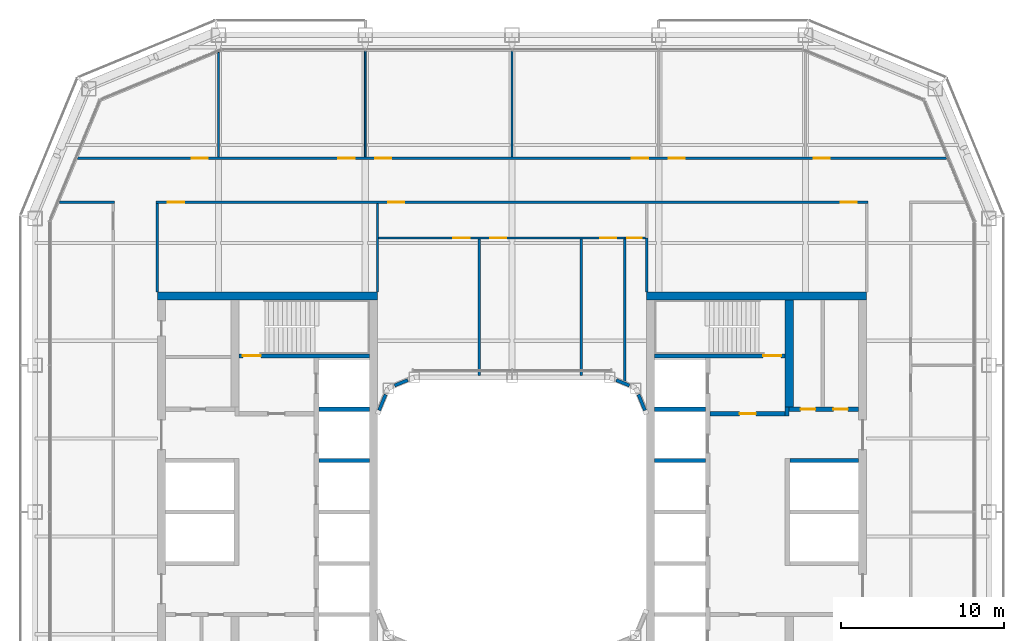
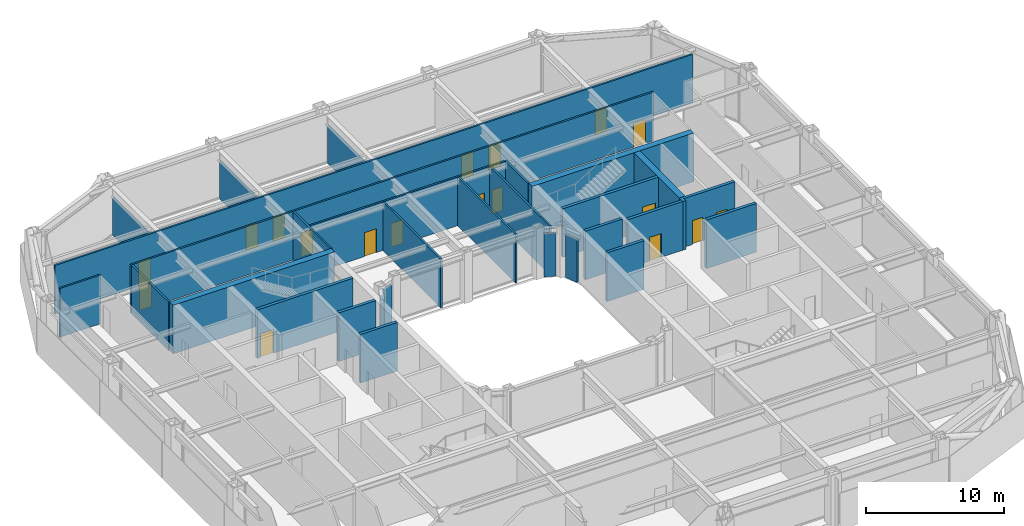
# One storey, part 13 of 21: 31 walls, 18 doors, 18 openings.
"""IFC4 building model written with IfcOpenShell, lengths in metres."""

from ifc_helpers import new_model, si_unit, direction, frame, frame_2d, origin, place, context, subcontext, project, spatial, rectangle, extrude, material, layer, layer_set, type_object, element, fill, save


model = new_model("IFC4")

# Units and contexts
model_context = context("Model", 3, precision=1e-05, world=origin(), true_north=direction((0.0, 1.0)))
body_context = subcontext(model_context, "Body", "Model", "MODEL_VIEW")
ifc_project = project(units=[si_unit("LENGTHUNIT", "METRE"), si_unit("AREAUNIT", "SQUARE_METRE"), si_unit("VOLUMEUNIT", "CUBIC_METRE"), si_unit("PLANEANGLEUNIT", "RADIAN"), si_unit("MASSUNIT", "GRAM", prefix="KILO")], contexts=[model_context])

# Site, building, storey
site_placement = place(None, origin())
site = spatial("IfcSite", under=ifc_project, at=site_placement, CompositionType="ELEMENT")
building_placement = place(site_placement, origin())
building = spatial("IfcBuilding", under=site, at=building_placement, Name="Siwar Civic Tower", CompositionType="ELEMENT")
storey_placement = place(building_placement, frame((0.0, 0.0, 176.699951171875)))
storey = spatial("IfcBuildingStorey", under=building, at=storey_placement, Name="L38", CompositionType="ELEMENT", Elevation=176.699951171875)

# Wall, opening, door
ifc_material_1 = material(Name="Gypsum board on steel studs", Category="steel")
ifc_layer_1 = layer(ifc_material_1, 0.14990234375)
ifc_layer_set_1 = layer_set([ifc_layer_1], Name="Gypsum board on steel studs")
wall_type_1 = type_object("IfcWallType", Name="COMPARTMENT PARTITION 150 EI 60", PredefinedType="PARTITIONING", material=ifc_layer_set_1)
wall_1_placement = place(storey_placement, frame((6.919921875, 16.800048828125, 0.0), z_axis=(0.0, 0.0, 1.0), x_axis=(1.0, 0.0, 0.0)))
wall_1 = element("IfcWall", 1, at=wall_1_placement, inside=storey, type_object=wall_type_1, Name="L38/wall/P09", PredefinedType="PARTITIONING", context=body_context, shape_type="SweptSolid", body=[
    extrude(rectangle(XDim=1.255126953125, YDim=0.14990234375, at=frame_2d((0.62744140625, 0.0))), origin(), (0.0, 0.0, 1.0), 4.300048828125),
])
opening_1_placement = place(wall_1_placement, frame((0.14990234375, 0.0, 0.0)))
opening_1 = element("IfcOpeningElement", 2, at=opening_1_placement, cuts=wall_1, Name="Opening D4", PredefinedType="OPENING", context=body_context, shape_type="SweptSolid", body=[
    extrude(rectangle(XDim=0.89990234375, YDim=2.10009765625, at=frame_2d((0.449951171875, 1.050048828125))), frame((0.0, 0.0849609375, 0.0), z_axis=(0.0, -1.0, 0.0), x_axis=(1.0, 0.0, 0.0)), (0.0, 0.0, 1.0), 0.169921875),
])
ifc_material_2 = material(Name="Timber, painted", Category="wood")
door_type_1 = type_object("IfcDoorType", Name="DOOR 900 X 2100 FD60", OperationType="SINGLE_SWING_LEFT", PredefinedType="DOOR", material=ifc_material_2)
door_1_placement = place(opening_1_placement, origin())
door_1 = element("IfcDoor", 3, at=door_1_placement, inside=storey, type_object=door_type_1, Name="L38-D17", OperationType="SINGLE_SWING_LEFT", OverallHeight=2.10009765625, OverallWidth=0.89990234375, PredefinedType="DOOR", context=body_context, shape_type="SweptSolid", body=[
    extrude(rectangle(XDim=0.89990234375, YDim=2.10009765625, at=frame_2d((0.449951171875, 1.050048828125))), frame((0.0, 0.02490234375, 0.0), z_axis=(0.0, -1.0, 0.0), x_axis=(1.0, 0.0, 0.0)), (0.0, 0.0, 1.0), 0.050048828125),
])
fill(opening_1, door_1)

# Walls
wall_2_placement = place(storey_placement, frame((6.919921875, 8.02490234375, 0.0), z_axis=(0.0, 0.0, 1.0), x_axis=(0.0, 1.0, 0.0)))
element("IfcWall", 4, at=wall_2_placement, inside=storey, type_object=wall_type_1, Name="L38/wall/P27", PredefinedType="PARTITIONING", context=body_context, shape_type="SweptSolid", body=[
    extrude(rectangle(XDim=8.7001953125, YDim=0.14990234375, at=frame_2d((4.35009765625, 0.0))), origin(), (0.0, 0.0, 1.0), 4.300048828125),
])
wall_3_placement = place(storey_placement, frame((8.25, 13.5, 0.0), z_axis=(0.0, 0.0, 1.0), x_axis=(0.0, 1.0, 0.0)))
element("IfcWall", 5, at=wall_3_placement, inside=storey, type_object=wall_type_1, Name="L38/wall/P30", PredefinedType="PARTITIONING", context=body_context, shape_type="SweptSolid", body=[
    extrude(rectangle(XDim=3.300048828125, YDim=0.14990234375, at=frame_2d((1.64990234375, 0.0))), origin(), (0.0, 0.0, 1.0), 4.300048828125),
])
ifc_material_3 = material(Name="Concrete C60/75", Category="concrete")
ifc_layer_2 = layer(ifc_material_3, 0.25)
ifc_layer_set_2 = layer_set([ifc_layer_2], Name="Concrete C60/75")
wall_type_2 = type_object("IfcWallType", Name="CORE-WALL-RC250", PredefinedType="SHEAR", material=ifc_layer_set_2)
for number, where, z_axis, x_axis, name in (
    (6, (-8.75, 3.14990234375, 0.0), (0.0, 0.0, 1.0), (-1.0, 0.0, 0.0), "Core wall W"),
    (7, (-8.75, 6.300048828125, 0.0), (0.0, 0.0, 1.0), (-1.0, 0.0, 0.0), "Core wall W"),
):
    element("IfcWall", number, at=place(storey_placement, frame(where, z_axis=z_axis, x_axis=x_axis)), inside=storey, type_object=wall_type_2, Name=name, PredefinedType="SHEAR", context=body_context, shape_type="SweptSolid", body=[
        extrude(rectangle(XDim=3.10009765625, YDim=0.25, at=frame_2d((1.550048828125, 0.0))), origin(), (0.0, 0.0, 1.0), 4.300048828125),
    ])

# Wall, opening, door
wall_4_placement = place(storey_placement, frame((-8.75, 9.574951171875, 0.0), z_axis=(0.0, 0.0, 1.0), x_axis=(-1.0, 0.0, 0.0)))
wall_4 = element("IfcWall", 8, at=wall_4_placement, inside=storey, type_object=wall_type_2, Name="Core wall W", PredefinedType="SHEAR", context=body_context, shape_type="SweptSolid", body=[
    extrude(rectangle(XDim=8.0, YDim=0.25, at=frame_2d((4.0, 0.0))), origin(), (0.0, 0.0, 1.0), 4.300048828125),
])
opening_2_placement = place(wall_4_placement, frame((6.64990234375, 0.0, 0.0)))
opening_2 = element("IfcOpeningElement", 9, at=opening_2_placement, cuts=wall_4, Name="Opening L38-CW03", PredefinedType="OPENING", context=body_context, shape_type="SweptSolid", body=[
    extrude(rectangle(XDim=1.10009765625, YDim=2.10009765625, at=frame_2d((0.550048828125, 1.050048828125))), frame((0.0, 0.135009765625, 0.0), z_axis=(0.0, -1.0, 0.0), x_axis=(1.0, 0.0, 0.0)), (0.0, 0.0, 1.0), 0.27001953125),
])
ifc_material_4 = material(Name="Steel door leaf", Category="steel")
door_type_2 = type_object("IfcDoorType", Name="CORE-DOOR-FD60S", OperationType="SINGLE_SWING_LEFT", PredefinedType="DOOR", material=ifc_material_4)
door_2_placement = place(opening_2_placement, origin())
door_2 = element("IfcDoor", 10, at=door_2_placement, inside=storey, type_object=door_type_2, Name="Stair door L38-CW03", OperationType="SINGLE_SWING_RIGHT", OverallHeight=2.10009765625, OverallWidth=1.10009765625, PredefinedType="DOOR", context=body_context, shape_type="SweptSolid", body=[
    extrude(rectangle(XDim=1.10009765625, YDim=2.10009765625, at=frame_2d((0.550048828125, 1.050048828125))), frame((0.0, 0.02490234375, 0.0), z_axis=(0.0, -1.0, 0.0), x_axis=(1.0, 0.0, 0.0)), (0.0, 0.0, 1.0), 0.050048828125),
])
fill(opening_2, door_2)

wall_5_placement = place(storey_placement, frame((12.14990234375, 6.02490234375, 0.0), z_axis=(0.0, 0.0, 1.0), x_axis=(1.0, 0.0, 0.0)))
wall_5 = element("IfcWall", 11, at=wall_5_placement, inside=storey, type_object=wall_type_2, Name="Core wall E", PredefinedType="SHEAR", context=body_context, shape_type="SweptSolid", body=[
    extrude(rectangle(XDim=4.60009765625, YDim=0.25, at=frame_2d((2.300048828125, 0.0))), origin(), (0.0, 0.0, 1.0), 4.300048828125),
])
opening_3_placement = place(wall_5_placement, frame((1.800048828125, 0.0, 0.0)))
opening_3 = element("IfcOpeningElement", 12, at=opening_3_placement, cuts=wall_5, Name="Opening L38-CE01", PredefinedType="OPENING", context=body_context, shape_type="SweptSolid", body=[
    extrude(rectangle(XDim=1.0, YDim=2.10009765625, at=frame_2d((0.5, 1.050048828125))), frame((0.0, 0.135009765625, 0.0), z_axis=(0.0, -1.0, 0.0), x_axis=(1.0, 0.0, 0.0)), (0.0, 0.0, 1.0), 0.27001953125),
])
ifc_material_5 = material(Name="Steel door leaf", Category="steel")
door_type_3 = type_object("IfcDoorType", Name="CORE-DOOR-FD30S", OperationType="SINGLE_SWING_LEFT", PredefinedType="DOOR", material=ifc_material_5)
door_3_placement = place(opening_3_placement, origin())
door_3 = element("IfcDoor", 13, at=door_3_placement, inside=storey, type_object=door_type_3, Name="Firefighting lobby door L38-CE01", OperationType="SINGLE_SWING_RIGHT", OverallHeight=2.10009765625, OverallWidth=1.0, PredefinedType="DOOR", context=body_context, shape_type="SweptSolid", body=[
    extrude(rectangle(XDim=1.0, YDim=2.10009765625, at=frame_2d((0.5, 1.050048828125))), frame((0.0, 0.02490234375, 0.0), z_axis=(0.0, -1.0, 0.0), x_axis=(1.0, 0.0, 0.0)), (0.0, 0.0, 1.0), 0.050048828125),
])
fill(opening_3, door_3)

# Wall
wall_6_placement = place(storey_placement, frame((16.875, 5.89990234375, 0.0), z_axis=(0.0, 0.0, 1.0), x_axis=(0.0, 1.0, 0.0)))
element("IfcWall", 14, at=wall_6_placement, inside=storey, type_object=wall_type_2, Name="Core wall E", PredefinedType="SHEAR", context=body_context, shape_type="SweptSolid", body=[
    extrude(rectangle(XDim=0.525146484375, YDim=0.25, at=frame_2d((0.2626953125, 0.0))), origin(), (0.0, 0.0, 1.0), 4.300048828125),
])

# Wall, openings, doors
wall_7_placement = place(storey_placement, frame((17.0, 6.300048828125, 0.0), z_axis=(0.0, 0.0, 1.0), x_axis=(1.0, 0.0, 0.0)))
wall_7 = element("IfcWall", 15, at=wall_7_placement, inside=storey, type_object=wall_type_2, Name="Core wall E", PredefinedType="SHEAR", context=body_context, shape_type="SweptSolid", body=[
    extrude(rectangle(XDim=4.25, YDim=0.25, at=frame_2d((2.125, 0.0))), origin(), (0.0, 0.0, 1.0), 4.300048828125),
])
opening_4_placement = place(wall_7_placement, frame((0.699951171875, 0.0, 0.0)))
opening_4 = element("IfcOpeningElement", 16, at=opening_4_placement, cuts=wall_7, Name="Opening L38-CE13", PredefinedType="OPENING", context=body_context, shape_type="SweptSolid", body=[
    extrude(rectangle(XDim=0.89990234375, YDim=2.10009765625, at=frame_2d((0.449951171875, 1.050048828125))), frame((0.0, 0.135009765625, 0.0), z_axis=(0.0, -1.0, 0.0), x_axis=(1.0, 0.0, 0.0)), (0.0, 0.0, 1.0), 0.27001953125),
])
opening_5_placement = place(wall_7_placement, frame((2.699951171875, 0.0, 0.0)))
opening_5 = element("IfcOpeningElement", 17, at=opening_5_placement, cuts=wall_7, Name="Opening L38-CE14", PredefinedType="OPENING", context=body_context, shape_type="SweptSolid", body=[
    extrude(rectangle(XDim=0.89990234375, YDim=2.10009765625, at=frame_2d((0.449951171875, 1.050048828125))), frame((0.0, 0.135009765625, 0.0), z_axis=(0.0, -1.0, 0.0), x_axis=(1.0, 0.0, 0.0)), (0.0, 0.0, 1.0), 0.27001953125),
])
ifc_material_6 = material(Name="Steel door leaf", Category="steel")
door_type_4 = type_object("IfcDoorType", Name="CORE-DOOR-ROOM", OperationType="SINGLE_SWING_LEFT", PredefinedType="DOOR", material=ifc_material_6)
door_4_placement = place(opening_4_placement, origin())
door_4 = element("IfcDoor", 18, at=door_4_placement, inside=storey, type_object=door_type_4, Name="Core room door L38-CE13", OperationType="SINGLE_SWING_LEFT", OverallHeight=2.10009765625, OverallWidth=0.89990234375, PredefinedType="DOOR", context=body_context, shape_type="SweptSolid", body=[
    extrude(rectangle(XDim=0.89990234375, YDim=2.10009765625, at=frame_2d((0.449951171875, 1.050048828125))), frame((0.0, 0.02490234375, 0.0), z_axis=(0.0, -1.0, 0.0), x_axis=(1.0, 0.0, 0.0)), (0.0, 0.0, 1.0), 0.050048828125),
])
fill(opening_4, door_4)
door_5_placement = place(opening_5_placement, origin())
door_5 = element("IfcDoor", 19, at=door_5_placement, inside=storey, type_object=door_type_4, Name="Core room door L38-CE14", OperationType="SINGLE_SWING_RIGHT", OverallHeight=2.10009765625, OverallWidth=0.89990234375, PredefinedType="DOOR", context=body_context, shape_type="SweptSolid", body=[
    extrude(rectangle(XDim=0.89990234375, YDim=2.10009765625, at=frame_2d((0.449951171875, 1.050048828125))), frame((0.0, 0.02490234375, 0.0), z_axis=(0.0, -1.0, 0.0), x_axis=(1.0, 0.0, 0.0)), (0.0, 0.0, 1.0), 0.050048828125),
])
fill(opening_5, door_5)

# Walls
wall_8_placement = place(storey_placement, frame((17.050048828125, 3.14990234375, 0.0), z_axis=(0.0, 0.0, 1.0), x_axis=(1.0, 0.0, 0.0)))
element("IfcWall", 20, at=wall_8_placement, inside=storey, type_object=wall_type_2, Name="Core wall E", PredefinedType="SHEAR", context=body_context, shape_type="SweptSolid", body=[
    extrude(rectangle(XDim=4.199951171875, YDim=0.25, at=frame_2d((2.10009765625, 0.0))), origin(), (0.0, 0.0, 1.0), 4.300048828125),
])
for number, where, z_axis, x_axis, name in (
    (21, (8.75, 3.14990234375, 0.0), (0.0, 0.0, 1.0), (1.0, 0.0, 0.0), "Core wall E"),
    (22, (8.75, 6.300048828125, 0.0), (0.0, 0.0, 1.0), (1.0, 0.0, 0.0), "Core wall E"),
):
    element("IfcWall", number, at=place(storey_placement, frame(where, z_axis=z_axis, x_axis=x_axis)), inside=storey, type_object=wall_type_2, Name=name, PredefinedType="SHEAR", context=body_context, shape_type="SweptSolid", body=[
        extrude(rectangle(XDim=3.10009765625, YDim=0.25, at=frame_2d((1.550048828125, 0.0))), origin(), (0.0, 0.0, 1.0), 4.300048828125),
    ])

# Wall, opening, door
wall_9_placement = place(storey_placement, frame((8.75, 9.574951171875, 0.0), z_axis=(0.0, 0.0, 1.0), x_axis=(1.0, 0.0, 0.0)))
wall_9 = element("IfcWall", 23, at=wall_9_placement, inside=storey, type_object=wall_type_2, Name="Core wall E", PredefinedType="SHEAR", context=body_context, shape_type="SweptSolid", body=[
    extrude(rectangle(XDim=8.0, YDim=0.25, at=frame_2d((4.0, 0.0))), origin(), (0.0, 0.0, 1.0), 4.300048828125),
])
opening_6_placement = place(wall_9_placement, frame((6.64990234375, 0.0, 0.0)))
opening_6 = element("IfcOpeningElement", 24, at=opening_6_placement, cuts=wall_9, Name="Opening L38-CE03", PredefinedType="OPENING", context=body_context, shape_type="SweptSolid", body=[
    extrude(rectangle(XDim=1.10009765625, YDim=2.10009765625, at=frame_2d((0.550048828125, 1.050048828125))), frame((0.0, 0.135009765625, 0.0), z_axis=(0.0, -1.0, 0.0), x_axis=(1.0, 0.0, 0.0)), (0.0, 0.0, 1.0), 0.27001953125),
])
door_6_placement = place(opening_6_placement, origin())
door_6 = element("IfcDoor", 25, at=door_6_placement, inside=storey, type_object=door_type_2, Name="Stair door L38-CE03", OperationType="SINGLE_SWING_LEFT", OverallHeight=2.10009765625, OverallWidth=1.10009765625, PredefinedType="DOOR", context=body_context, shape_type="SweptSolid", body=[
    extrude(rectangle(XDim=1.10009765625, YDim=2.10009765625, at=frame_2d((0.550048828125, 1.050048828125))), frame((0.0, 0.02490234375, 0.0), z_axis=(0.0, -1.0, 0.0), x_axis=(1.0, 0.0, 0.0)), (0.0, 0.0, 1.0), 0.050048828125),
])
fill(opening_6, door_6)

# Walls
ifc_material_7 = material(Name="Concrete C60/75", Category="concrete")
ifc_layer_3 = layer(ifc_material_7, 0.5)
ifc_layer_set_3 = layer_set([ifc_layer_3], Name="Concrete C60/75")
wall_type_3 = type_object("IfcWallType", Name="CORE-WALL-RC500", PredefinedType="SHEAR", material=ifc_layer_set_3)
wall_10_placement = place(storey_placement, frame((-8.25, 13.25, 0.0), z_axis=(0.0, 0.0, 1.0), x_axis=(-1.0, 0.0, 0.0)))
element("IfcWall", 26, at=wall_10_placement, inside=storey, type_object=wall_type_3, Name="Core wall W", PredefinedType="SHEAR", context=body_context, shape_type="SweptSolid", body=[
    extrude(rectangle(XDim=13.5, YDim=0.5, at=frame_2d((6.75, 0.0))), origin(), (0.0, 0.0, 1.0), 4.300048828125),
])
wall_11_placement = place(storey_placement, frame((17.0, 6.425048828125, 0.0), z_axis=(0.0, 0.0, 1.0), x_axis=(0.0, 1.0, 0.0)))
element("IfcWall", 27, at=wall_11_placement, inside=storey, type_object=wall_type_3, Name="Core wall E", PredefinedType="SHEAR", context=body_context, shape_type="SweptSolid", body=[
    extrude(rectangle(XDim=6.574951171875, YDim=0.5, at=frame_2d((3.28759765625, 0.0))), origin(), (0.0, 0.0, 1.0), 4.300048828125),
])
wall_12_placement = place(storey_placement, frame((8.25, 13.25, 0.0), z_axis=(0.0, 0.0, 1.0), x_axis=(1.0, 0.0, 0.0)))
element("IfcWall", 28, at=wall_12_placement, inside=storey, type_object=wall_type_3, Name="Core wall E", PredefinedType="SHEAR", context=body_context, shape_type="SweptSolid", body=[
    extrude(rectangle(XDim=13.5, YDim=0.5, at=frame_2d((6.75, 0.0))), origin(), (0.0, 0.0, 1.0), 4.300048828125),
])

# Wall, openings, doors
ifc_material_8 = material(Name="Gypsum board on steel studs", Category="steel")
ifc_layer_4 = layer(ifc_material_8, 0.14990234375)
ifc_layer_set_4 = layer_set([ifc_layer_4], Name="Gypsum board on steel studs")
wall_type_4 = type_object("IfcWallType", Name="CORRIDOR PARTITION 150 EI 30", PredefinedType="PARTITIONING", material=ifc_layer_set_4)
wall_13_placement = place(storey_placement, frame((-8.175048828125, 16.800048828125, 0.0), z_axis=(0.0, 0.0, 1.0), x_axis=(1.0, 0.0, 0.0)))
wall_13 = element("IfcWall", 29, at=wall_13_placement, inside=storey, type_object=wall_type_4, Name="L38/wall/P08", PredefinedType="PARTITIONING", context=body_context, shape_type="SweptSolid", body=[
    extrude(rectangle(XDim=15.094970703125, YDim=0.14990234375, at=frame_2d((7.54736328125, 0.0))), origin(), (0.0, 0.0, 1.0), 4.300048828125),
])
opening_7_placement = place(wall_13_placement, frame((4.574951171875, 0.0, 0.0)))
opening_7 = element("IfcOpeningElement", 30, at=opening_7_placement, cuts=wall_13, Name="Opening D3", PredefinedType="OPENING", context=body_context, shape_type="SweptSolid", body=[
    extrude(rectangle(XDim=1.0, YDim=2.10009765625, at=frame_2d((0.5, 1.050048828125))), frame((0.0, 0.0849609375, 0.0), z_axis=(0.0, -1.0, 0.0), x_axis=(1.0, 0.0, 0.0)), (0.0, 0.0, 1.0), 0.169921875),
])
opening_8_placement = place(wall_13_placement, frame((6.824951171875, 0.0, 0.0)))
opening_8 = element("IfcOpeningElement", 31, at=opening_8_placement, cuts=wall_13, Name="Opening D3", PredefinedType="OPENING", context=body_context, shape_type="SweptSolid", body=[
    extrude(rectangle(XDim=1.0, YDim=2.10009765625, at=frame_2d((0.5, 1.050048828125))), frame((0.0, 0.0849609375, 0.0), z_axis=(0.0, -1.0, 0.0), x_axis=(1.0, 0.0, 0.0)), (0.0, 0.0, 1.0), 0.169921875),
])
opening_9_placement = place(wall_13_placement, frame((13.574951171875, 0.0, 0.0)))
opening_9 = element("IfcOpeningElement", 32, at=opening_9_placement, cuts=wall_13, Name="Opening D3", PredefinedType="OPENING", context=body_context, shape_type="SweptSolid", body=[
    extrude(rectangle(XDim=1.0, YDim=2.10009765625, at=frame_2d((0.5, 1.050048828125))), frame((0.0, 0.0849609375, 0.0), z_axis=(0.0, -1.0, 0.0), x_axis=(1.0, 0.0, 0.0)), (0.0, 0.0, 1.0), 0.169921875),
])
ifc_material_9 = material(Name="Timber, painted", Category="wood")
door_type_5 = type_object("IfcDoorType", Name="DOOR 1000 X 2100 WC", OperationType="SINGLE_SWING_LEFT", PredefinedType="DOOR", material=ifc_material_9)
door_7_placement = place(opening_7_placement, origin())
door_7 = element("IfcDoor", 33, at=door_7_placement, inside=storey, type_object=door_type_5, Name="L38-D14", OperationType="SINGLE_SWING_RIGHT", OverallHeight=2.10009765625, OverallWidth=1.0, PredefinedType="DOOR", context=body_context, shape_type="SweptSolid", body=[
    extrude(rectangle(XDim=1.0, YDim=2.10009765625, at=frame_2d((0.5, 1.050048828125))), frame((0.0, 0.02490234375, 0.0), z_axis=(0.0, -1.0, 0.0), x_axis=(1.0, 0.0, 0.0)), (0.0, 0.0, 1.0), 0.050048828125),
])
fill(opening_7, door_7)
door_8_placement = place(opening_8_placement, origin())
door_8 = element("IfcDoor", 34, at=door_8_placement, inside=storey, type_object=door_type_5, Name="L38-D15", OperationType="SINGLE_SWING_LEFT", OverallHeight=2.10009765625, OverallWidth=1.0, PredefinedType="DOOR", context=body_context, shape_type="SweptSolid", body=[
    extrude(rectangle(XDim=1.0, YDim=2.10009765625, at=frame_2d((0.5, 1.050048828125))), frame((0.0, 0.02490234375, 0.0), z_axis=(0.0, -1.0, 0.0), x_axis=(1.0, 0.0, 0.0)), (0.0, 0.0, 1.0), 0.050048828125),
])
fill(opening_8, door_8)
door_9_placement = place(opening_9_placement, origin())
door_9 = element("IfcDoor", 35, at=door_9_placement, inside=storey, type_object=door_type_5, Name="L38-D16", OperationType="SINGLE_SWING_RIGHT", OverallHeight=2.10009765625, OverallWidth=1.0, PredefinedType="DOOR", context=body_context, shape_type="SweptSolid", body=[
    extrude(rectangle(XDim=1.0, YDim=2.10009765625, at=frame_2d((0.5, 1.050048828125))), frame((0.0, 0.02490234375, 0.0), z_axis=(0.0, -1.0, 0.0), x_axis=(1.0, 0.0, 0.0)), (0.0, 0.0, 1.0), 0.050048828125),
])
fill(opening_9, door_9)

# Wall
wall_14_placement = place(storey_placement, frame((-27.763916015625, 19.0, 0.0), z_axis=(0.0, 0.0, 1.0), x_axis=(1.0, 0.0, 0.0)))
element("IfcWall", 36, at=wall_14_placement, inside=storey, type_object=wall_type_4, Name="L38/wall/P10", PredefinedType="PARTITIONING", context=body_context, shape_type="SweptSolid", body=[
    extrude(rectangle(XDim=3.388916015625, YDim=0.14990234375, at=frame_2d((1.6943359375, 0.0))), origin(), (0.0, 0.0, 1.0), 4.300048828125),
])

# Wall, openings, doors
wall_15_placement = place(storey_placement, frame((-21.824951171875, 19.0, 0.0), z_axis=(0.0, 0.0, 1.0), x_axis=(1.0, 0.0, 0.0)))
wall_15 = element("IfcWall", 37, at=wall_15_placement, inside=storey, type_object=wall_type_4, Name="L38/wall/P11", PredefinedType="PARTITIONING", context=body_context, shape_type="SweptSolid", body=[
    extrude(rectangle(XDim=43.64990234375, YDim=0.14990234375, at=frame_2d((21.824951171875, 0.0))), origin(), (0.0, 0.0, 1.0), 4.300048828125),
])
opening_10_placement = place(wall_15_placement, frame((14.22509765625, 0.0, 0.0)))
opening_10 = element("IfcOpeningElement", 38, at=opening_10_placement, cuts=wall_15, Name="Opening D1", PredefinedType="OPENING", context=body_context, shape_type="SweptSolid", body=[
    extrude(rectangle(XDim=1.0, YDim=2.10009765625, at=frame_2d((0.5, 1.050048828125))), frame((0.0, 0.0849609375, 0.0), z_axis=(0.0, -1.0, 0.0), x_axis=(1.0, 0.0, 0.0)), (0.0, 0.0, 1.0), 0.169921875),
])
opening_11_placement = place(wall_15_placement, frame((0.72509765625, 0.0, 0.0)))
opening_11 = element("IfcOpeningElement", 39, at=opening_11_placement, cuts=wall_15, Name="Opening D1", PredefinedType="OPENING", context=body_context, shape_type="SweptSolid", body=[
    extrude(rectangle(XDim=1.0, YDim=2.10009765625, at=frame_2d((0.5, 1.050048828125))), frame((0.0, 0.0849609375, 0.0), z_axis=(0.0, -1.0, 0.0), x_axis=(1.0, 0.0, 0.0)), (0.0, 0.0, 1.0), 0.169921875),
])
opening_12_placement = place(wall_15_placement, frame((41.97509765625, 0.0, 0.0)))
opening_12 = element("IfcOpeningElement", 40, at=opening_12_placement, cuts=wall_15, Name="Opening D1", PredefinedType="OPENING", context=body_context, shape_type="SweptSolid", body=[
    extrude(rectangle(XDim=1.0, YDim=2.10009765625, at=frame_2d((0.5, 1.050048828125))), frame((0.0, 0.0849609375, 0.0), z_axis=(0.0, -1.0, 0.0), x_axis=(1.0, 0.0, 0.0)), (0.0, 0.0, 1.0), 0.169921875),
])
ifc_material_10 = material(Name="Timber, painted", Category="wood")
door_type_6 = type_object("IfcDoorType", Name="DOOR 1000 X 2100 FD30", OperationType="SINGLE_SWING_LEFT", PredefinedType="DOOR", material=ifc_material_10)
door_10_placement = place(opening_10_placement, origin())
door_10 = element("IfcDoor", 41, at=door_10_placement, inside=storey, type_object=door_type_6, Name="L38-D13", OperationType="SINGLE_SWING_LEFT", OverallHeight=2.10009765625, OverallWidth=1.0, PredefinedType="DOOR", context=body_context, shape_type="SweptSolid", body=[
    extrude(rectangle(XDim=1.0, YDim=2.10009765625, at=frame_2d((0.5, 1.050048828125))), frame((0.0, 0.02490234375, 0.0), z_axis=(0.0, -1.0, 0.0), x_axis=(1.0, 0.0, 0.0)), (0.0, 0.0, 1.0), 0.050048828125),
])
fill(opening_10, door_10)
door_11_placement = place(opening_11_placement, origin())
door_11 = element("IfcDoor", 42, at=door_11_placement, inside=storey, type_object=door_type_6, Name="L38-D19", OperationType="SINGLE_SWING_LEFT", OverallHeight=2.10009765625, OverallWidth=1.0, PredefinedType="DOOR", context=body_context, shape_type="SweptSolid", body=[
    extrude(rectangle(XDim=1.0, YDim=2.10009765625, at=frame_2d((0.5, 1.050048828125))), frame((0.0, 0.02490234375, 0.0), z_axis=(0.0, -1.0, 0.0), x_axis=(1.0, 0.0, 0.0)), (0.0, 0.0, 1.0), 0.050048828125),
])
fill(opening_11, door_11)
door_12_placement = place(opening_12_placement, origin())
door_12 = element("IfcDoor", 43, at=door_12_placement, inside=storey, type_object=door_type_6, Name="L38-D20", OperationType="SINGLE_SWING_RIGHT", OverallHeight=2.10009765625, OverallWidth=1.0, PredefinedType="DOOR", context=body_context, shape_type="SweptSolid", body=[
    extrude(rectangle(XDim=1.0, YDim=2.10009765625, at=frame_2d((0.5, 1.050048828125))), frame((0.0, 0.02490234375, 0.0), z_axis=(0.0, -1.0, 0.0), x_axis=(1.0, 0.0, 0.0)), (0.0, 0.0, 1.0), 0.050048828125),
])
fill(opening_12, door_12)

wall_16_placement = place(storey_placement, frame((-26.64599609375, 21.699951171875, 0.0), z_axis=(0.0, 0.0, 1.0), x_axis=(1.0, 0.0, 0.0)))
wall_16 = element("IfcWall", 44, at=wall_16_placement, inside=storey, type_object=wall_type_4, Name="L38/wall/P13", PredefinedType="PARTITIONING", context=body_context, shape_type="SweptSolid", body=[
    extrude(rectangle(XDim=53.2919921875, YDim=0.14990234375, at=frame_2d((26.64599609375, 0.0))), origin(), (0.0, 0.0, 1.0), 4.300048828125),
])
opening_13_placement = place(wall_16_placement, frame((15.99609375, 0.0, 0.0)))
opening_13 = element("IfcOpeningElement", 45, at=opening_13_placement, cuts=wall_16, Name="Opening D1", PredefinedType="OPENING", context=body_context, shape_type="SweptSolid", body=[
    extrude(rectangle(XDim=1.0, YDim=2.10009765625, at=frame_2d((0.5, 1.050048828125))), frame((0.0, 0.0849609375, 0.0), z_axis=(0.0, -1.0, 0.0), x_axis=(1.0, 0.0, 0.0)), (0.0, 0.0, 1.0), 0.169921875),
])
opening_14_placement = place(wall_16_placement, frame((18.24609375, 0.0, 0.0)))
opening_14 = element("IfcOpeningElement", 46, at=opening_14_placement, cuts=wall_16, Name="Opening D1", PredefinedType="OPENING", context=body_context, shape_type="SweptSolid", body=[
    extrude(rectangle(XDim=1.0, YDim=2.10009765625, at=frame_2d((0.5, 1.050048828125))), frame((0.0, 0.0849609375, 0.0), z_axis=(0.0, -1.0, 0.0), x_axis=(1.0, 0.0, 0.0)), (0.0, 0.0, 1.0), 0.169921875),
])
opening_15_placement = place(wall_16_placement, frame((33.99609375, 0.0, 0.0)))
opening_15 = element("IfcOpeningElement", 47, at=opening_15_placement, cuts=wall_16, Name="Opening D1", PredefinedType="OPENING", context=body_context, shape_type="SweptSolid", body=[
    extrude(rectangle(XDim=1.0, YDim=2.10009765625, at=frame_2d((0.5, 1.050048828125))), frame((0.0, 0.0849609375, 0.0), z_axis=(0.0, -1.0, 0.0), x_axis=(1.0, 0.0, 0.0)), (0.0, 0.0, 1.0), 0.169921875),
])
opening_16_placement = place(wall_16_placement, frame((36.24609375, 0.0, 0.0)))
opening_16 = element("IfcOpeningElement", 48, at=opening_16_placement, cuts=wall_16, Name="Opening D1", PredefinedType="OPENING", context=body_context, shape_type="SweptSolid", body=[
    extrude(rectangle(XDim=1.0, YDim=2.10009765625, at=frame_2d((0.5, 1.050048828125))), frame((0.0, 0.0849609375, 0.0), z_axis=(0.0, -1.0, 0.0), x_axis=(1.0, 0.0, 0.0)), (0.0, 0.0, 1.0), 0.169921875),
])
opening_17_placement = place(wall_16_placement, frame((6.99609375, 0.0, 0.0)))
opening_17 = element("IfcOpeningElement", 49, at=opening_17_placement, cuts=wall_16, Name="Opening D1", PredefinedType="OPENING", context=body_context, shape_type="SweptSolid", body=[
    extrude(rectangle(XDim=1.0, YDim=2.10009765625, at=frame_2d((0.5, 1.050048828125))), frame((0.0, 0.0849609375, 0.0), z_axis=(0.0, -1.0, 0.0), x_axis=(1.0, 0.0, 0.0)), (0.0, 0.0, 1.0), 0.169921875),
])
opening_18_placement = place(wall_16_placement, frame((45.14208984375, 0.0, 0.0)))
opening_18 = element("IfcOpeningElement", 50, at=opening_18_placement, cuts=wall_16, Name="Opening D1", PredefinedType="OPENING", context=body_context, shape_type="SweptSolid", body=[
    extrude(rectangle(XDim=1.0, YDim=2.10009765625, at=frame_2d((0.5, 1.050048828125))), frame((0.0, 0.0849609375, 0.0), z_axis=(0.0, -1.0, 0.0), x_axis=(1.0, 0.0, 0.0)), (0.0, 0.0, 1.0), 0.169921875),
])
door_13_placement = place(opening_13_placement, origin())
door_13 = element("IfcDoor", 51, at=door_13_placement, inside=storey, type_object=door_type_6, Name="L38-D01", OperationType="SINGLE_SWING_LEFT", OverallHeight=2.10009765625, OverallWidth=1.0, PredefinedType="DOOR", context=body_context, shape_type="SweptSolid", body=[
    extrude(rectangle(XDim=1.0, YDim=2.10009765625, at=frame_2d((0.5, 1.050048828125))), frame((0.0, 0.02490234375, 0.0), z_axis=(0.0, -1.0, 0.0), x_axis=(1.0, 0.0, 0.0)), (0.0, 0.0, 1.0), 0.050048828125),
])
fill(opening_13, door_13)
door_14_placement = place(opening_14_placement, origin())
door_14 = element("IfcDoor", 52, at=door_14_placement, inside=storey, type_object=door_type_6, Name="L38-D02", OperationType="SINGLE_SWING_RIGHT", OverallHeight=2.10009765625, OverallWidth=1.0, PredefinedType="DOOR", context=body_context, shape_type="SweptSolid", body=[
    extrude(rectangle(XDim=1.0, YDim=2.10009765625, at=frame_2d((0.5, 1.050048828125))), frame((0.0, 0.02490234375, 0.0), z_axis=(0.0, -1.0, 0.0), x_axis=(1.0, 0.0, 0.0)), (0.0, 0.0, 1.0), 0.050048828125),
])
fill(opening_14, door_14)
door_15_placement = place(opening_15_placement, origin())
door_15 = element("IfcDoor", 53, at=door_15_placement, inside=storey, type_object=door_type_6, Name="L38-D03", OperationType="SINGLE_SWING_LEFT", OverallHeight=2.10009765625, OverallWidth=1.0, PredefinedType="DOOR", context=body_context, shape_type="SweptSolid", body=[
    extrude(rectangle(XDim=1.0, YDim=2.10009765625, at=frame_2d((0.5, 1.050048828125))), frame((0.0, 0.02490234375, 0.0), z_axis=(0.0, -1.0, 0.0), x_axis=(1.0, 0.0, 0.0)), (0.0, 0.0, 1.0), 0.050048828125),
])
fill(opening_15, door_15)
door_16_placement = place(opening_16_placement, origin())
door_16 = element("IfcDoor", 54, at=door_16_placement, inside=storey, type_object=door_type_6, Name="L38-D04", OperationType="SINGLE_SWING_RIGHT", OverallHeight=2.10009765625, OverallWidth=1.0, PredefinedType="DOOR", context=body_context, shape_type="SweptSolid", body=[
    extrude(rectangle(XDim=1.0, YDim=2.10009765625, at=frame_2d((0.5, 1.050048828125))), frame((0.0, 0.02490234375, 0.0), z_axis=(0.0, -1.0, 0.0), x_axis=(1.0, 0.0, 0.0)), (0.0, 0.0, 1.0), 0.050048828125),
])
fill(opening_16, door_16)
door_17_placement = place(opening_17_placement, origin())
door_17 = element("IfcDoor", 55, at=door_17_placement, inside=storey, type_object=door_type_6, Name="L38-D09", OperationType="SINGLE_SWING_LEFT", OverallHeight=2.10009765625, OverallWidth=1.0, PredefinedType="DOOR", context=body_context, shape_type="SweptSolid", body=[
    extrude(rectangle(XDim=1.0, YDim=2.10009765625, at=frame_2d((0.5, 1.050048828125))), frame((0.0, 0.02490234375, 0.0), z_axis=(0.0, -1.0, 0.0), x_axis=(1.0, 0.0, 0.0)), (0.0, 0.0, 1.0), 0.050048828125),
])
fill(opening_17, door_17)
door_18_placement = place(opening_18_placement, origin())
door_18 = element("IfcDoor", 56, at=door_18_placement, inside=storey, type_object=door_type_6, Name="L38-D10", OperationType="SINGLE_SWING_RIGHT", OverallHeight=2.10009765625, OverallWidth=1.0, PredefinedType="DOOR", context=body_context, shape_type="SweptSolid", body=[
    extrude(rectangle(XDim=1.0, YDim=2.10009765625, at=frame_2d((0.5, 1.050048828125))), frame((0.0, 0.02490234375, 0.0), z_axis=(0.0, -1.0, 0.0), x_axis=(1.0, 0.0, 0.0)), (0.0, 0.0, 1.0), 0.050048828125),
])
fill(opening_18, door_18)

# Walls
for number, where, z_axis, x_axis, name in (
    (57, (-21.75, 13.5, 0.0), (0.0, 0.0, 1.0), (0.0, 1.0, 0.0), "L38/wall/P16"),
    (58, (-8.25, 13.5, 0.0), (0.0, 0.0, 1.0), (0.0, 1.0, 0.0), "L38/wall/P22"),
):
    element("IfcWall", number, at=place(storey_placement, frame(where, z_axis=z_axis, x_axis=x_axis)), inside=storey, type_object=wall_type_4, Name=name, PredefinedType="PARTITIONING", context=body_context, shape_type="SweptSolid", body=[
        extrude(rectangle(XDim=5.425048828125, YDim=0.14990234375, at=frame_2d((2.71240234375, 0.0))), origin(), (0.0, 0.0, 1.0), 4.300048828125),
    ])
for number, where, z_axis, x_axis, name in (
    (59, (-2.0, 8.3701171875, 0.0), (0.0, 0.0, 1.0), (0.0, 1.0, 0.0), "L38/wall/P23"),
    (60, (4.25, 8.3701171875, 0.0), (0.0, 0.0, 1.0), (0.0, 1.0, 0.0), "L38/wall/P26"),
):
    element("IfcWall", number, at=place(storey_placement, frame(where, z_axis=z_axis, x_axis=x_axis)), inside=storey, type_object=wall_type_4, Name=name, PredefinedType="PARTITIONING", context=body_context, shape_type="SweptSolid", body=[
        extrude(rectangle(XDim=8.35498046875, YDim=0.14990234375, at=frame_2d((4.177490234375, 0.0))), origin(), (0.0, 0.0, 1.0), 4.300048828125),
    ])
ifc_material_11 = material(Name="Aluminium clad insulated panel", Category="aluminium")
ifc_layer_5 = layer(ifc_material_11, 0.199951171875)
ifc_layer_set_5 = layer_set([ifc_layer_5], Name="Aluminium clad insulated panel")
wall_type_5 = type_object("IfcWallType", Name="ENV-WALL-WELL", PredefinedType="STANDARD", material=ifc_layer_set_5)
wall_17_placement = place(storey_placement, frame((8.154296875, 6.23095703125, 0.0), z_axis=(0.0, 0.0, 1.0), x_axis=(-0.382694858887, 0.923874799408, 0.0)))
element("IfcWall", 61, at=wall_17_placement, inside=storey, type_object=wall_type_5, Name="Light well corner wall NE1", PredefinedType="STANDARD", context=body_context, shape_type="SweptSolid", body=[
    extrude(rectangle(XDim=1.047607421875, YDim=0.199951171875, at=frame_2d((0.52392578125, 0.0))), origin(), (0.0, 0.0, 1.0), 3.776123046875),
])
for number, where, z_axis, x_axis, name in (
    (62, (7.19873046875, 7.75341796875, 0.0), (0.0, 0.0, 1.0), (-0.923894108428, 0.382648241093, 0.0), "Light well corner wall NE2"),
    (63, (-6.392333984375, 8.08740234375, 0.0), (0.0, 0.0, 1.0), (-0.923894108428, -0.382648241093, 0.0), "Light well corner wall NW1"),
):
    element("IfcWall", number, at=place(storey_placement, frame(where, z_axis=z_axis, x_axis=x_axis)), inside=storey, type_object=wall_type_5, Name=name, PredefinedType="STANDARD", context=body_context, shape_type="SweptSolid", body=[
        extrude(rectangle(XDim=0.872802734375, YDim=0.199951171875, at=frame_2d((0.4365234375, 0.0))), origin(), (0.0, 0.0, 1.0), 3.776123046875),
    ])
wall_18_placement = place(storey_placement, frame((-7.75341796875, 7.19873046875, 0.0), z_axis=(0.0, 0.0, 1.0), x_axis=(-0.382694858887, -0.923874799408, 0.0)))
element("IfcWall", 64, at=wall_18_placement, inside=storey, type_object=wall_type_5, Name="Light well corner wall NW2", PredefinedType="STANDARD", context=body_context, shape_type="SweptSolid", body=[
    extrude(rectangle(XDim=1.047607421875, YDim=0.199951171875, at=frame_2d((0.52392578125, 0.0))), origin(), (0.0, 0.0, 1.0), 3.776123046875),
])
ifc_material_12 = material(Name="Gypsum board on steel studs", Category="steel")
ifc_layer_6 = layer(ifc_material_12, 0.10009765625)
ifc_layer_set_6 = layer_set([ifc_layer_6], Name="Gypsum board on steel studs")
wall_type_6 = type_object("IfcWallType", Name="PARTITION 100 GYPSUM", PredefinedType="PARTITIONING", material=ifc_layer_set_6)
wall_19_placement = place(storey_placement, frame((-18.0, 21.77490234375, 0.0), z_axis=(0.0, 0.0, 1.0), x_axis=(0.0, 1.0, 0.0)))
element("IfcWall", 65, at=wall_19_placement, inside=storey, type_object=wall_type_6, Name="L38/wall/P18", PredefinedType="PARTITIONING", context=body_context, shape_type="SweptSolid", body=[
    extrude(rectangle(XDim=6.403076171875, YDim=0.10009765625, at=frame_2d((3.20166015625, 0.0))), origin(), (0.0, 0.0, 1.0), 3.400146484375),
])
for number, where, z_axis, x_axis, name in (
    (66, (-9.0, 21.77490234375, 0.0), (0.0, 0.0, 1.0), (0.0, 1.0, 0.0), "L38/wall/P20"),
    (67, (0.0, 21.77490234375, 0.0), (0.0, 0.0, 1.0), (0.0, 1.0, 0.0), "L38/wall/P25"),
):
    element("IfcWall", number, at=place(storey_placement, frame(where, z_axis=z_axis, x_axis=x_axis)), inside=storey, type_object=wall_type_6, Name=name, PredefinedType="PARTITIONING", context=body_context, shape_type="SweptSolid", body=[
        extrude(rectangle(XDim=6.485107421875, YDim=0.10009765625, at=frame_2d((3.24267578125, 0.0))), origin(), (0.0, 0.0, 1.0), 3.400146484375),
    ])

save(model, "model.ifc")
